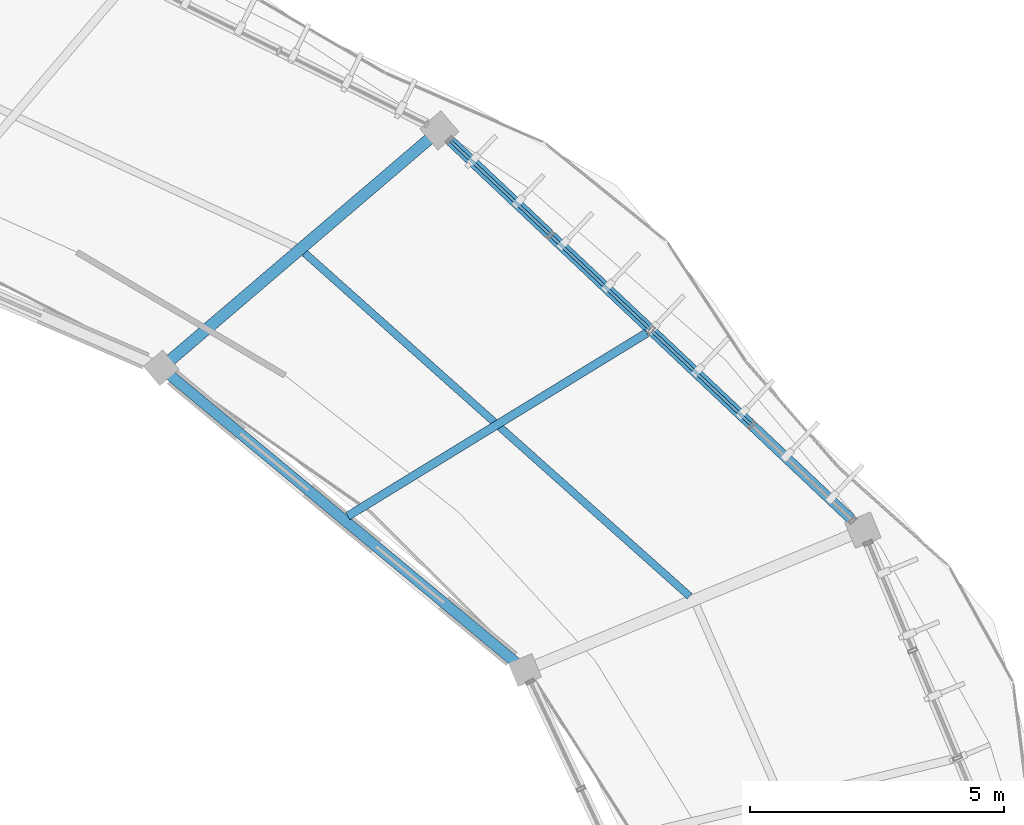
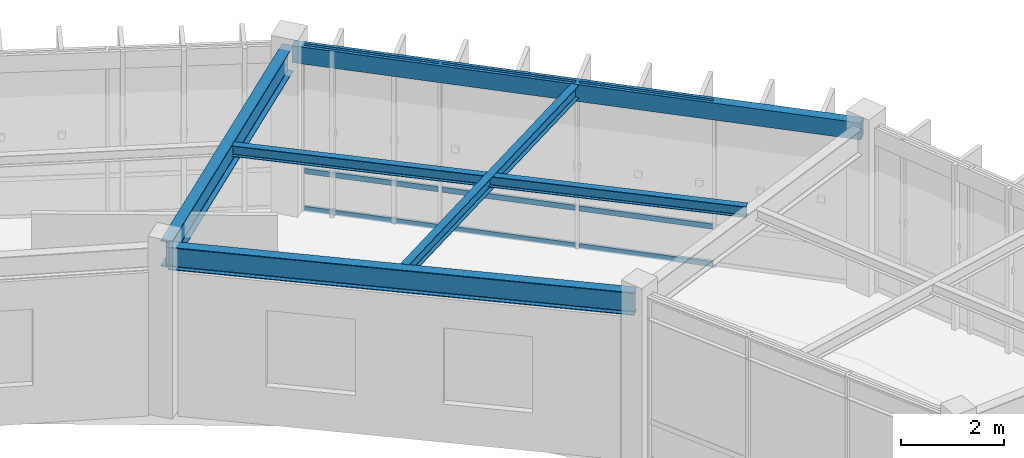
# One storey, part 54 of 79: 9 members, 5 beams, 1 element without a shape of its own.
"""IFC4 building model written with IfcOpenShell, lengths in metres."""

from ifc_helpers import new_model, si_unit, direction, frame, origin, origin_2d, place, context, subcontext, project, spatial, hollow_rectangle, i_section, extrude, material, material_profile, profile_set, type_object, element, aggregate, save


model = new_model("IFC4")

# Units and contexts
model_context = context("Model", 3, precision=1e-05, world=origin(), true_north=direction((0.0, 1.0)))
body_context = subcontext(model_context, "Body", "Model", "MODEL_VIEW")
ifc_project = project(units=[si_unit("LENGTHUNIT", "METRE"), si_unit("AREAUNIT", "SQUARE_METRE"), si_unit("VOLUMEUNIT", "CUBIC_METRE"), si_unit("PLANEANGLEUNIT", "RADIAN"), si_unit("MASSUNIT", "GRAM", prefix="KILO"), si_unit("THERMODYNAMICTEMPERATUREUNIT", "KELVIN"), si_unit("POWERUNIT", "WATT")], contexts=[model_context])

# Site, building, storey
site_placement = place(None, origin())
site = spatial("IfcSite", under=ifc_project, at=site_placement, CompositionType="ELEMENT")
building_placement = place(site_placement, origin())
building = spatial("IfcBuilding", under=site, at=building_placement, Name="Darbajah Civic Hall", CompositionType="ELEMENT")
storey_placement = place(building_placement, frame((0.0, 0.0, 22.199951171875)))
storey = spatial("IfcBuildingStorey", under=building, at=storey_placement, Name="L05", CompositionType="ELEMENT", Elevation=22.199951171875)

# Curtain wall, members
ifc_material_1 = material(Name="Anodised Bronze Aluminium and Low-E Glazing", Category="aluminium")
curtain_wall_type = type_object("IfcCurtainWallType", Name="Unitised Curtain Wall CW-63 10900x3900", PredefinedType="USERDEFINED", material=ifc_material_1)
curtain_wall_placement = place(storey_placement, origin())
curtain_wall = element("IfcCurtainWall", 1, at=curtain_wall_placement, inside=storey, type_object=curtain_wall_type, Name="L05 unitised curtain wall CW-V1O-L05-01", ObjectType="UNITISED CURTAIN WALL", PredefinedType="USERDEFINED")
ifc_material_2 = material(Name="Anodised Bronze Aluminium", Category="aluminium")
ifc_material_profile_1 = material_profile(ifc_material_2, hollow_rectangle(XDim=0.06005859375, YDim=0.1201171875, WallThickness=0.003173828125, at=origin_2d()), Name="ALU TRANSOM 60x120")
ifc_profile_set_1 = profile_set([ifc_material_profile_1], Name="Anodised Bronze Aluminium")
member_type = type_object("IfcMemberType", Name="ALU TRANSOM 60x120", PredefinedType="USERDEFINED", material=ifc_profile_set_1)
member_1_placement = place(storey_placement, frame((134.00732421875, 103.175537109375, 0.06005859375), z_axis=(-0.72716089037, 0.686467070962, 0.0), x_axis=(-0.686467070962, -0.72716089037, 0.0)))
member_1 = element("IfcMember", 2, at=member_1_placement, type_object=member_type, Name="CW-V1O-L05-01 transom 2.1", ObjectType="TRANSOM", PredefinedType="USERDEFINED", context=body_context, shape_type="SweptSolid", body=[
    extrude(hollow_rectangle(XDim=0.06005859375, YDim=0.1201171875, WallThickness=0.003173828125, at=origin_2d()), origin(), (0.0, 0.0, 1.0), 2.65771484375),
])
member_2_placement = place(storey_placement, frame((134.00732421875, 103.175537109375, 0.949951171875), z_axis=(-0.72716089037, 0.686467070962, 0.0), x_axis=(-0.686467070962, -0.72716089037, 0.0)))
member_2 = element("IfcMember", 3, at=member_2_placement, type_object=member_type, Name="CW-V1O-L05-01 transom 2.2", ObjectType="TRANSOM", PredefinedType="USERDEFINED", context=body_context, shape_type="SweptSolid", body=[
    extrude(hollow_rectangle(XDim=0.06005859375, YDim=0.1201171875, WallThickness=0.003173828125, at=origin_2d()), origin(), (0.0, 0.0, 1.0), 2.65771484375),
])
member_3_placement = place(storey_placement, frame((134.00732421875, 103.175537109375, 3.860107421875), z_axis=(-0.72716089037, 0.686467070962, 0.0), x_axis=(-0.686467070962, -0.72716089037, 0.0)))
member_3 = element("IfcMember", 4, at=member_3_placement, type_object=member_type, Name="CW-V1O-L05-01 transom 2.3", ObjectType="TRANSOM", PredefinedType="USERDEFINED", context=body_context, shape_type="SweptSolid", body=[
    extrude(hollow_rectangle(XDim=0.06005859375, YDim=0.1201171875, WallThickness=0.003173828125, at=origin_2d()), origin(), (0.0, 0.0, 1.0), 2.65771484375),
])
member_4_placement = place(storey_placement, frame((132.023681640625, 105.048095703125, 0.06005859375), z_axis=(-0.727163456795, 0.68646435239, 0.0), x_axis=(-0.68646435239, -0.727163456795, 0.0)))
member_4 = element("IfcMember", 5, at=member_4_placement, type_object=member_type, Name="CW-V1O-L05-01 transom 3.1", ObjectType="TRANSOM", PredefinedType="USERDEFINED", context=body_context, shape_type="SweptSolid", body=[
    extrude(hollow_rectangle(XDim=0.06005859375, YDim=0.1201171875, WallThickness=0.003173828125, at=origin_2d()), origin(), (0.0, 0.0, 1.0), 2.657470703125),
])
member_5_placement = place(storey_placement, frame((132.023681640625, 105.048095703125, 0.949951171875), z_axis=(-0.727163456795, 0.68646435239, 0.0), x_axis=(-0.68646435239, -0.727163456795, 0.0)))
member_5 = element("IfcMember", 6, at=member_5_placement, type_object=member_type, Name="CW-V1O-L05-01 transom 3.2", ObjectType="TRANSOM", PredefinedType="USERDEFINED", context=body_context, shape_type="SweptSolid", body=[
    extrude(hollow_rectangle(XDim=0.06005859375, YDim=0.1201171875, WallThickness=0.003173828125, at=origin_2d()), origin(), (0.0, 0.0, 1.0), 2.657470703125),
])
member_6_placement = place(storey_placement, frame((132.023681640625, 105.048095703125, 3.860107421875), z_axis=(-0.727163456795, 0.68646435239, 0.0), x_axis=(-0.68646435239, -0.727163456795, 0.0)))
member_6 = element("IfcMember", 7, at=member_6_placement, type_object=member_type, Name="CW-V1O-L05-01 transom 3.3", ObjectType="TRANSOM", PredefinedType="USERDEFINED", context=body_context, shape_type="SweptSolid", body=[
    extrude(hollow_rectangle(XDim=0.06005859375, YDim=0.1201171875, WallThickness=0.003173828125, at=origin_2d()), origin(), (0.0, 0.0, 1.0), 2.657470703125),
])
member_7_placement = place(storey_placement, frame((130.040283203125, 106.92041015625, 0.06005859375), z_axis=(-0.727206745399, 0.686418494394, 0.0), x_axis=(-0.686418494394, -0.727206745399, 0.0)))
member_7 = element("IfcMember", 8, at=member_7_placement, type_object=member_type, Name="CW-V1O-L05-01 transom 4.1", ObjectType="TRANSOM", PredefinedType="USERDEFINED", context=body_context, shape_type="SweptSolid", body=[
    extrude(hollow_rectangle(XDim=0.06005859375, YDim=0.1201171875, WallThickness=0.003173828125, at=origin_2d()), origin(), (0.0, 0.0, 1.0), 2.657470703125),
])
member_8_placement = place(storey_placement, frame((130.040283203125, 106.92041015625, 0.949951171875), z_axis=(-0.727206745399, 0.686418494394, 0.0), x_axis=(-0.686418494394, -0.727206745399, 0.0)))
member_8 = element("IfcMember", 9, at=member_8_placement, type_object=member_type, Name="CW-V1O-L05-01 transom 4.2", ObjectType="TRANSOM", PredefinedType="USERDEFINED", context=body_context, shape_type="SweptSolid", body=[
    extrude(hollow_rectangle(XDim=0.06005859375, YDim=0.1201171875, WallThickness=0.003173828125, at=origin_2d()), origin(), (0.0, 0.0, 1.0), 2.657470703125),
])
member_9_placement = place(storey_placement, frame((130.040283203125, 106.92041015625, 3.860107421875), z_axis=(-0.727206745399, 0.686418494394, 0.0), x_axis=(-0.686418494394, -0.727206745399, 0.0)))
member_9 = element("IfcMember", 10, at=member_9_placement, type_object=member_type, Name="CW-V1O-L05-01 transom 4.3", ObjectType="TRANSOM", PredefinedType="USERDEFINED", context=body_context, shape_type="SweptSolid", body=[
    extrude(hollow_rectangle(XDim=0.06005859375, YDim=0.1201171875, WallThickness=0.003173828125, at=origin_2d()), origin(), (0.0, 0.0, 1.0), 2.657470703125),
])
aggregate(curtain_wall, [member_1, member_2, member_3, member_4, member_5, member_6, member_7, member_8, member_9])

# Beams
ifc_material_3 = material(Name="Steel S355JR", Category="steel")
ifc_material_profile_2 = material_profile(ifc_material_3, hollow_rectangle(XDim=0.199951171875, YDim=0.39990234375, WallThickness=0.013916015625, at=origin_2d()), Name="RHS 400x200x14")
ifc_profile_set_2 = profile_set([ifc_material_profile_2], Name="Steel S355JR")
beam_type_1 = type_object("IfcBeamType", Name="RHS 400x200x14", PredefinedType="SPANDREL", material=ifc_profile_set_2)
beam_1_placement = place(storey_placement, frame((136.15966796875, 101.14404296875, 3.719970703125), z_axis=(-0.727199990638, 0.686425650465, 0.0), x_axis=(-0.686425650465, -0.727199990638, 0.0)))
element("IfcBeam", 11, at=beam_1_placement, inside=storey, type_object=beam_type_1, Name="L05 beam SP-RHS400", PredefinedType="SPANDREL", context=body_context, shape_type="SweptSolid", body=[
    extrude(hollow_rectangle(XDim=0.199951171875, YDim=0.39990234375, WallThickness=0.013916015625, at=origin_2d()), origin(), (0.0, 0.0, 1.0), 11.3046875),
])
ifc_material_profile_3 = material_profile(ifc_material_3, i_section(OverallWidth=0.146484375, OverallDepth=0.256103515625, WebThickness=0.00634765625, FlangeThickness=0.010986328125, FilletRadius=0.007568359375, at=origin_2d()), Name="UB 254x146x37")
ifc_profile_set_3 = profile_set([ifc_material_profile_3], Name="Steel S355JR")
beam_type_2 = type_object("IfcBeamType", Name="UB 254x146x37", PredefinedType="JOIST", material=ifc_profile_set_3)
beam_2_placement = place(storey_placement, frame((132.805419921875, 99.788818359375, 3.7919921875), z_axis=(-0.746395859773, 0.665502231787, 0.0), x_axis=(-0.665502231787, -0.746395859773, 0.0)))
element("IfcBeam", 12, at=beam_2_placement, inside=storey, type_object=beam_type_2, Name="L05 beam SJ-254", PredefinedType="JOIST", context=body_context, shape_type="SweptSolid", body=[
    extrude(i_section(OverallWidth=0.146484375, OverallDepth=0.256103515625, WebThickness=0.00634765625, FlangeThickness=0.010986328125, FilletRadius=0.007568359375, at=origin_2d()), origin(), (0.0, 0.0, 1.0), 10.149658203125),
])
ifc_material_profile_4 = material_profile(ifc_material_3, i_section(OverallWidth=0.165771484375, OverallDepth=0.306640625, WebThickness=0.006591796875, FlangeThickness=0.01171875, FilletRadius=0.0087890625, at=origin_2d()), Name="UB 305x165x46")
ifc_profile_set_4 = profile_set([ifc_material_profile_4], Name="Steel S355JR")
beam_type_3 = type_object("IfcBeamType", Name="UB 305x165x46", PredefinedType="JOIST", material=ifc_profile_set_4)
beam_3_placement = place(storey_placement, frame((126.076171875, 101.363525390625, 3.766845703125), z_axis=(0.852634287744, 0.522508154351, 0.0), x_axis=(-0.522508154351, 0.852634287744, 0.0)))
element("IfcBeam", 13, at=beam_3_placement, inside=storey, type_object=beam_type_3, Name="L05 beam SJ-305", PredefinedType="JOIST", context=body_context, shape_type="SweptSolid", body=[
    extrude(i_section(OverallWidth=0.165771484375, OverallDepth=0.306640625, WebThickness=0.006591796875, FlangeThickness=0.01171875, FilletRadius=0.0087890625, at=origin_2d()), origin(), (0.0, 0.0, 1.0), 6.903564453125),
])
ifc_material_profile_5 = material_profile(ifc_material_3, i_section(OverallWidth=0.209228515625, OverallDepth=0.533203125, WebThickness=0.010009765625, FlangeThickness=0.015625, FilletRadius=0.0126953125, at=origin_2d()), Name="UB 533x210x92")
ifc_profile_set_5 = profile_set([ifc_material_profile_5], Name="Steel S355JR")
beam_type_4 = type_object("IfcBeamType", Name="UB 533x210x92", PredefinedType="BEAM", material=ifc_profile_set_5)
beam_4_placement = place(storey_placement, frame((129.50439453125, 98.385009765625, 3.653564453125), z_axis=(-0.769165350471, 0.63904981311, 0.0), x_axis=(-0.63904981311, -0.769165350471, 0.0)))
element("IfcBeam", 14, at=beam_4_placement, inside=storey, type_object=beam_type_4, Name="L05 beam SB-533", PredefinedType="BEAM", context=body_context, shape_type="SweptSolid", body=[
    extrude(i_section(OverallWidth=0.209228515625, OverallDepth=0.533203125, WebThickness=0.010009765625, FlangeThickness=0.015625, FilletRadius=0.0126953125, at=origin_2d()), origin(), (0.0, 0.0, 1.0), 9.14892578125),
])
ifc_material_profile_6 = material_profile(ifc_material_3, i_section(OverallWidth=0.228271484375, OverallDepth=0.607666015625, WebThickness=0.010986328125, FlangeThickness=0.017333984375, FilletRadius=0.0126953125, at=origin_2d()), Name="UB 610x229x113")
ifc_profile_set_6 = profile_set([ifc_material_profile_6], Name="Steel S355JR")
beam_type_5 = type_object("IfcBeamType", Name="UB 610x229x113", PredefinedType="BEAM", material=ifc_profile_set_6)
beam_5_placement = place(storey_placement, frame((122.466552734375, 104.334716796875, 3.6162109375), z_axis=(0.760413281686, 0.649439482197, 0.0), x_axis=(-0.649439482197, 0.760413281686, 0.0)))
element("IfcBeam", 15, at=beam_5_placement, inside=storey, type_object=beam_type_5, Name="L05 beam SB-610", PredefinedType="BEAM", context=body_context, shape_type="SweptSolid", body=[
    extrude(i_section(OverallWidth=0.228271484375, OverallDepth=0.607666015625, WebThickness=0.010986328125, FlangeThickness=0.017333984375, FilletRadius=0.0126953125, at=origin_2d()), origin(), (0.0, 0.0, 1.0), 7.0400390625),
])

save(model, "model.ifc")
